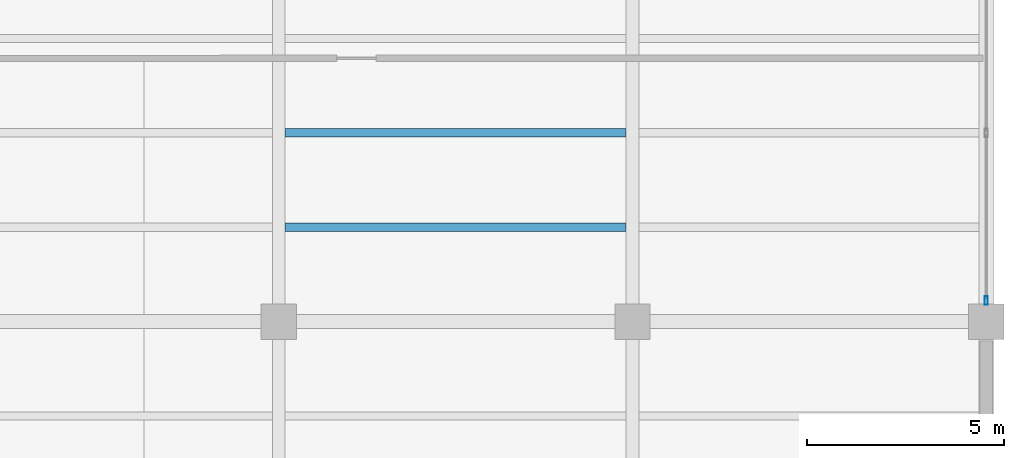
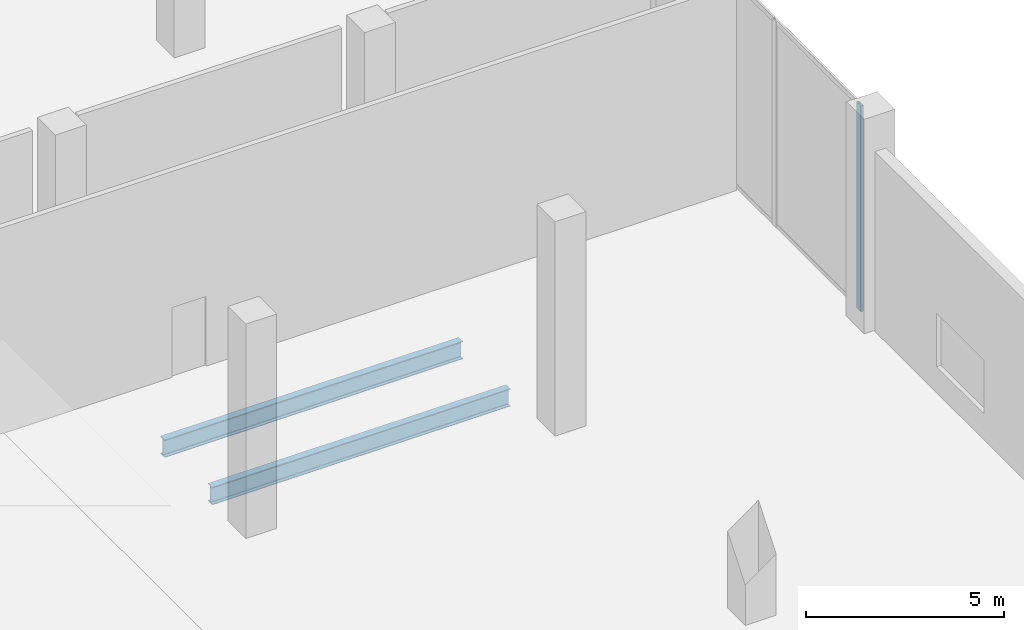
# One storey, part 12 of 45: 2 beams, 1 member, 1 element without a shape of its own.
"""IFC4 building model written with IfcOpenShell, lengths in metres."""

from ifc_helpers import new_model, si_unit, direction, frame, origin, origin_2d, place, context, subcontext, project, spatial, hollow_rectangle, i_section, extrude, material, layer, layer_set, material_profile, profile_set, type_object, element, aggregate, save


model = new_model("IFC4")

# Units and contexts
model_context = context("Model", 3, precision=1e-05, world=origin(), true_north=direction((0.0, 1.0)))
body_context = subcontext(model_context, "Body", "Model", "MODEL_VIEW")
ifc_project = project(units=[si_unit("LENGTHUNIT", "METRE"), si_unit("AREAUNIT", "SQUARE_METRE"), si_unit("VOLUMEUNIT", "CUBIC_METRE"), si_unit("PLANEANGLEUNIT", "RADIAN"), si_unit("MASSUNIT", "GRAM", prefix="KILO")], contexts=[model_context])

# Site, building, storey
site_placement = place(None, origin())
site = spatial("IfcSite", under=ifc_project, at=site_placement, CompositionType="ELEMENT")
building_placement = place(site_placement, origin())
building = spatial("IfcBuilding", under=site, at=building_placement, Name="Qorvath Tower", CompositionType="ELEMENT")
storey_placement = place(building_placement, origin())
storey = spatial("IfcBuildingStorey", under=building, at=storey_placement, Name="L00", CompositionType="ELEMENT", Elevation=0.0)

# Beams
ifc_material_1 = material(Name="Steel ASTM A992 Grade 50", Category="steel")
ifc_material_profile_1 = material_profile(ifc_material_1, i_section(OverallWidth=0.2119140625, OverallDepth=0.5439453125, WebThickness=0.01318359375, FlangeThickness=0.021240234375, FilletRadius=0.013916015625, at=origin_2d()), Name="W21x83")
ifc_profile_set_1 = profile_set([ifc_material_profile_1], Name="Steel ASTM A992 Grade 50")
beam_type = type_object("IfcBeamType", Name="BM-FJ1", PredefinedType="JOIST", material=ifc_profile_set_1)
for number, where, z_axis, x_axis, name in (
    (1, (59.560546875, -16.800048828125, -0.572021484375), (1.0, 0.0, 0.0), (0.0, 1.0, 0.0), "Library Stack Joist L00-3.1-4"),
    (2, (59.560546875, -14.39990234375, -0.572021484375), (1.0, 0.0, 0.0), (0.0, 1.0, 0.0), "Library Stack Joist L00-3.2-4"),
):
    element("IfcBeam", number, at=place(storey_placement, frame(where, z_axis=z_axis, x_axis=x_axis)), inside=storey, type_object=beam_type, Name=name, PredefinedType="JOIST", context=body_context, shape_type="SweptSolid", body=[
        extrude(i_section(OverallWidth=0.2119140625, OverallDepth=0.5439453125, WebThickness=0.01318359375, FlangeThickness=0.021240234375, FilletRadius=0.013916015625, at=origin_2d()), origin(), (0.0, 0.0, 1.0), 8.678955078125),
    ])

# Curtain wall, member
ifc_material_2 = material(Name="Anodised aluminium and triple low-E glass", Category="aluminium")
ifc_layer = layer(ifc_material_2, 0.179931640625)
ifc_layer_set = layer_set([ifc_layer], Name="CW-SYS-6")
curtain_wall_type = type_object("IfcCurtainWallType", Name="CW-SYS-6", PredefinedType="NOTDEFINED", material=ifc_layer_set)
curtain_wall_placement = place(storey_placement, origin())
curtain_wall = element("IfcCurtainWall", 3, at=curtain_wall_placement, inside=storey, type_object=curtain_wall_type, Name="Curtain Wall CW-6 CW-LIB-E-L00-3", PredefinedType="NOTDEFINED")
ifc_material_3 = material(Name="Anodised aluminium 6063-T6", Category="aluminium")
ifc_material_profile_2 = material_profile(ifc_material_3, hollow_rectangle(XDim=0.080078125, YDim=0.219970703125, WallThickness=0.00439453125, InnerFilletRadius=0.00439453125, OuterFilletRadius=0.009033203125, at=origin_2d()), Name="CWM LIB 220x80")
ifc_profile_set_2 = profile_set([ifc_material_profile_2], Name="Anodised aluminium 6063-T6")
member_type = type_object("IfcMemberType", Name="CWM-LIB", PredefinedType="MULLION", material=ifc_profile_set_2)
member_placement = place(storey_placement, frame((77.39990234375, -18.6650390625, 0.0), z_axis=(0.0, 0.0, 1.0), x_axis=(-1.0, 0.0, 0.0)))
member = element("IfcMember", 4, at=member_placement, type_object=member_type, Name="CW-6 mullion 1", PredefinedType="MULLION", context=body_context, shape_type="SweptSolid", body=[
    extrude(hollow_rectangle(XDim=0.080078125, YDim=0.219970703125, WallThickness=0.00439453125, InnerFilletRadius=0.00439453125, OuterFilletRadius=0.009033203125, at=origin_2d()), origin(), (0.0, 0.0, 1.0), 6.340087890625),
])
aggregate(curtain_wall, [member])

save(model, "model.ifc")
